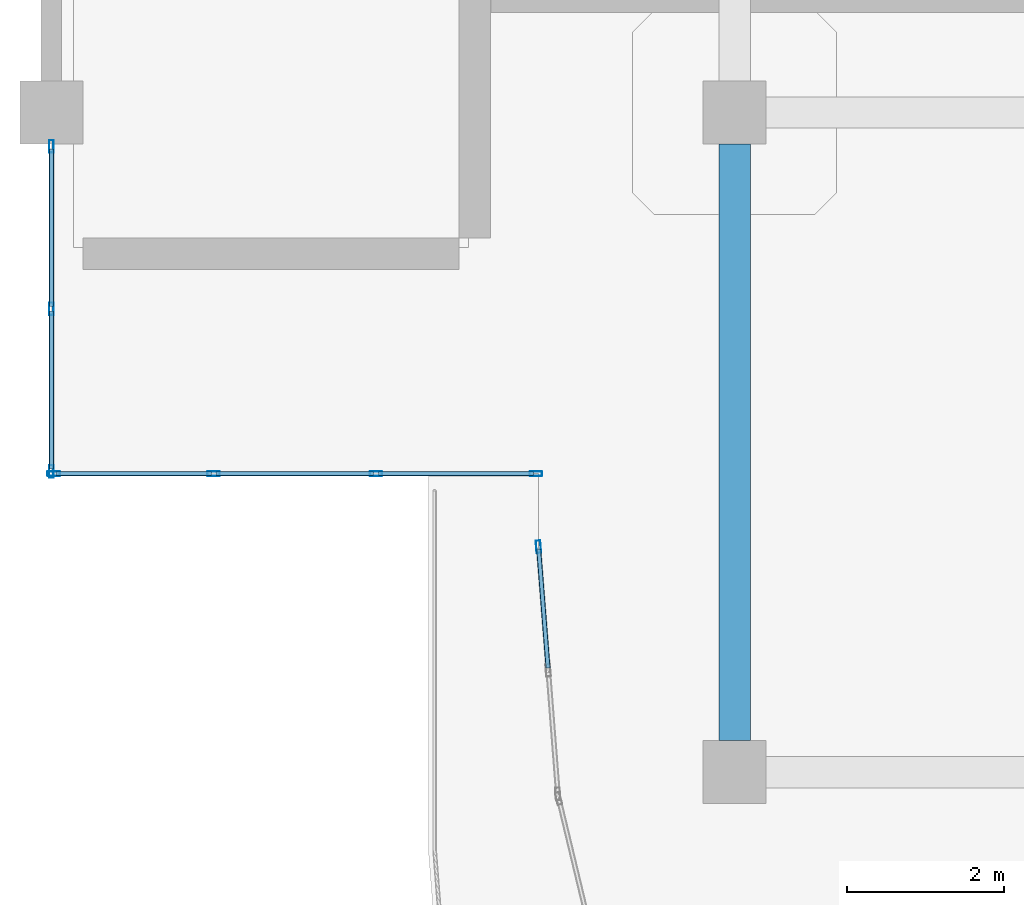
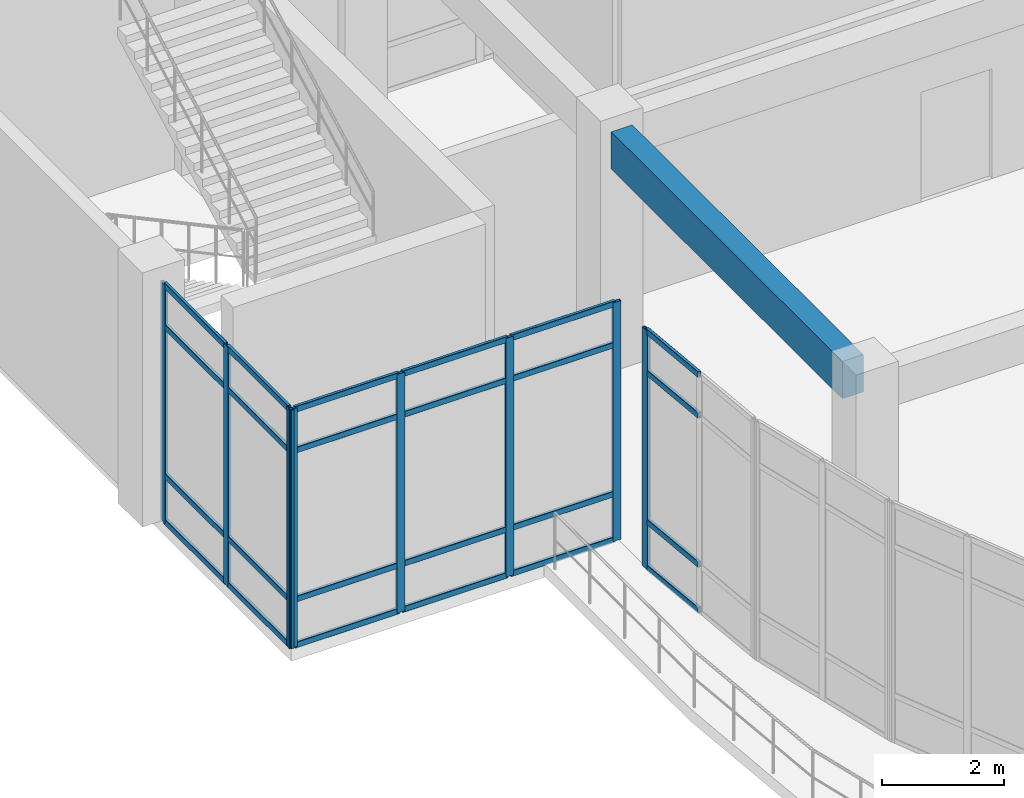
# One storey, part 11 of 96: 32 members, 1 beam, 3 elements without a shape of their own.
"""IFC4 building model written with IfcOpenShell, lengths in metres."""

from ifc_helpers import new_model, si_unit, derived_unit, direction, frame, origin, origin_2d, place, context, subcontext, project, spatial, rectangle, hollow_rectangle, extrude, material, layer, layer_set, material_profile, profile_set, type_object, element, aggregate, save


model = new_model("IFC4")

# Units and contexts
model_context = context("Model", 3, precision=1e-05, world=origin(), true_north=direction((0.0, 1.0)))
body_context = subcontext(model_context, "Body", "Model", "MODEL_VIEW")
ifc_project = project(units=[si_unit("LENGTHUNIT", "METRE"), si_unit("AREAUNIT", "SQUARE_METRE"), si_unit("VOLUMEUNIT", "CUBIC_METRE"), si_unit("PLANEANGLEUNIT", "RADIAN"), si_unit("MASSUNIT", "GRAM", prefix="KILO"), derived_unit("THERMALTRANSMITTANCEUNIT", [(si_unit("MASSUNIT", "GRAM", prefix="KILO"), 1), (si_unit("TIMEUNIT", "SECOND"), -3), (si_unit("THERMODYNAMICTEMPERATUREUNIT", "KELVIN"), -1)])], contexts=[model_context])

# Site, building, storey
site_placement = place(None, origin())
site = spatial("IfcSite", under=ifc_project, at=site_placement, CompositionType="ELEMENT")
building_placement = place(site_placement, origin())
building = spatial("IfcBuilding", under=site, at=building_placement, Name="Qinzheling Arcade Emporium", CompositionType="ELEMENT")
storey_placement = place(building_placement, frame((0.0, 0.0, 21.60009765625)))
storey = spatial("IfcBuildingStorey", under=building, at=storey_placement, Name="L05", CompositionType="ELEMENT", Elevation=21.60009765625)

# Curtain wall, member
ifc_material_1 = material(Name="Anodised aluminium and solar-control double glazing", Category="aluminium")
ifc_layer_1 = layer(ifc_material_1, 0.159912109375, Name="Anodised aluminium and solar-control double glazing", Category="aluminium")
ifc_layer_set_1 = layer_set([ifc_layer_1], Name="Anodised aluminium and solar-control double glazing")
curtain_wall_type_1 = type_object("IfcCurtainWallType", Name="Curved Ribbon Sales Curtain Wall", PredefinedType="NOTDEFINED", material=ifc_layer_set_1)
curtain_wall_1_placement = place(storey_placement, origin())
curtain_wall_1 = element("IfcCurtainWall", 1, at=curtain_wall_1_placement, inside=storey, type_object=curtain_wall_type_1, Name="Curtain Wall CW-L05-311", PredefinedType="NOTDEFINED")
ifc_material_2 = material(Name="Anodised aluminium 6063-T6", Category="aluminium")
ifc_material_profile_1 = material_profile(ifc_material_2, hollow_rectangle(XDim=0.06005859375, YDim=0.159912109375, WallThickness=0.00390625, InnerFilletRadius=0.00390625, OuterFilletRadius=0.008056640625, at=origin_2d()), Name="RHS 160x60x4", Category="aluminium")
ifc_profile_set_1 = profile_set([ifc_material_profile_1], Name="Anodised aluminium 6063-T6")
member_type_1 = type_object("IfcMemberType", Name="Curtain Wall Mullion RHS160x60", PredefinedType="MULLION", material=ifc_profile_set_1)
member_1_placement = place(storey_placement, frame((6.202392578125, 28.070068359375, 0.0), z_axis=(0.0, 0.0, 1.0), x_axis=(-0.996926963876, -0.078336637005, 0.0)))
member_1 = element("IfcMember", 2, at=member_1_placement, type_object=member_type_1, Name="CW02 mullion 3", PredefinedType="MULLION", context=body_context, shape_type="SweptSolid", body=[
    extrude(hollow_rectangle(XDim=0.06005859375, YDim=0.159912109375, WallThickness=0.00390625, InnerFilletRadius=0.00390625, OuterFilletRadius=0.008056640625, at=origin_2d()), origin(), (0.0, 0.0, 1.0), 4.789794921875),
])

# Curtain wall, members
ifc_layer_2 = layer(ifc_material_1, 0.159912109375, Name="Anodised aluminium and solar-control double glazing", Category="aluminium")
ifc_layer_set_2 = layer_set([ifc_layer_2], Name="Anodised aluminium and solar-control double glazing")
curtain_wall_type_2 = type_object("IfcCurtainWallType", Name="Arcade Portal Glazed Curtain Wall", PredefinedType="NOTDEFINED", material=ifc_layer_set_2)
curtain_wall_2_placement = place(storey_placement, origin())
curtain_wall_2 = element("IfcCurtainWall", 3, at=curtain_wall_2_placement, inside=storey, type_object=curtain_wall_type_2, Name="Curtain Wall CW-L05-312", PredefinedType="NOTDEFINED")
member_2_placement = place(storey_placement, frame((6.169921875, 29.0, 0.0), z_axis=(0.0, 0.0, 1.0), x_axis=(0.0, -1.0, 0.0)))
member_2 = element("IfcMember", 4, at=member_2_placement, type_object=member_type_1, Name="CW05 mullion 1", PredefinedType="MULLION", context=body_context, shape_type="SweptSolid", body=[
    extrude(hollow_rectangle(XDim=0.06005859375, YDim=0.159912109375, WallThickness=0.00390625, InnerFilletRadius=0.00390625, OuterFilletRadius=0.008056640625, at=origin_2d()), origin(), (0.0, 0.0, 1.0), 4.789794921875),
])
member_3_placement = place(storey_placement, frame((4.13330078125, 29.0, 0.0), z_axis=(0.0, 0.0, 1.0), x_axis=(0.0, -1.0, 0.0)))
member_3 = element("IfcMember", 5, at=member_3_placement, type_object=member_type_1, Name="CW05 mullion 2", PredefinedType="MULLION", context=body_context, shape_type="SweptSolid", body=[
    extrude(hollow_rectangle(XDim=0.06005859375, YDim=0.159912109375, WallThickness=0.00390625, InnerFilletRadius=0.00390625, OuterFilletRadius=0.008056640625, at=origin_2d()), origin(), (0.0, 0.0, 1.0), 4.789794921875),
])
member_4_placement = place(storey_placement, frame((2.066650390625, 29.0, 0.0), z_axis=(0.0, 0.0, 1.0), x_axis=(0.0, -1.0, 0.0)))
member_4 = element("IfcMember", 6, at=member_4_placement, type_object=member_type_1, Name="CW05 mullion 3", PredefinedType="MULLION", context=body_context, shape_type="SweptSolid", body=[
    extrude(hollow_rectangle(XDim=0.06005859375, YDim=0.159912109375, WallThickness=0.00390625, InnerFilletRadius=0.00390625, OuterFilletRadius=0.008056640625, at=origin_2d()), origin(), (0.0, 0.0, 1.0), 4.789794921875),
])
member_5_placement = place(storey_placement, frame((0.030029296875, 29.0, 0.0), z_axis=(0.0, 0.0, 1.0), x_axis=(0.0, -1.0, 0.0)))
member_5 = element("IfcMember", 7, at=member_5_placement, type_object=member_type_1, Name="CW05 mullion 4", PredefinedType="MULLION", context=body_context, shape_type="SweptSolid", body=[
    extrude(hollow_rectangle(XDim=0.06005859375, YDim=0.159912109375, WallThickness=0.00390625, InnerFilletRadius=0.00390625, OuterFilletRadius=0.008056640625, at=origin_2d()), origin(), (0.0, 0.0, 1.0), 4.789794921875),
])

curtain_wall_3_placement = place(storey_placement, origin())
curtain_wall_3 = element("IfcCurtainWall", 8, at=curtain_wall_3_placement, inside=storey, type_object=curtain_wall_type_2, Name="Curtain Wall CW-L05-313", PredefinedType="NOTDEFINED")
member_6_placement = place(storey_placement, frame((0.0, 29.030029296875, 0.0), z_axis=(0.0, 0.0, 1.0), x_axis=(-1.0, 0.0, 0.0)))
member_6 = element("IfcMember", 9, at=member_6_placement, type_object=member_type_1, Name="CW05 mullion 1", PredefinedType="MULLION", context=body_context, shape_type="SweptSolid", body=[
    extrude(hollow_rectangle(XDim=0.06005859375, YDim=0.159912109375, WallThickness=0.00390625, InnerFilletRadius=0.00390625, OuterFilletRadius=0.008056640625, at=origin_2d()), origin(), (0.0, 0.0, 1.0), 4.789794921875),
])
member_7_placement = place(storey_placement, frame((0.0, 31.09912109375, 0.0), z_axis=(0.0, 0.0, 1.0), x_axis=(-1.0, 0.0, 0.0)))
member_7 = element("IfcMember", 10, at=member_7_placement, type_object=member_type_1, Name="CW05 mullion 2", PredefinedType="MULLION", context=body_context, shape_type="SweptSolid", body=[
    extrude(hollow_rectangle(XDim=0.06005859375, YDim=0.159912109375, WallThickness=0.00390625, InnerFilletRadius=0.00390625, OuterFilletRadius=0.008056640625, at=origin_2d()), origin(), (0.0, 0.0, 1.0), 4.789794921875),
])
member_8_placement = place(storey_placement, frame((0.0, 33.16796875, 0.0), z_axis=(0.0, 0.0, 1.0), x_axis=(-1.0, 0.0, 0.0)))
member_8 = element("IfcMember", 11, at=member_8_placement, type_object=member_type_1, Name="CW05 mullion 3", PredefinedType="MULLION", context=body_context, shape_type="SweptSolid", body=[
    extrude(hollow_rectangle(XDim=0.06005859375, YDim=0.159912109375, WallThickness=0.00390625, InnerFilletRadius=0.00390625, OuterFilletRadius=0.008056640625, at=origin_2d()), origin(), (0.0, 0.0, 1.0), 4.789794921875),
])

# Member
ifc_material_profile_2 = material_profile(ifc_material_2, hollow_rectangle(XDim=0.06005859375, YDim=0.1201171875, WallThickness=0.00390625, InnerFilletRadius=0.00390625, OuterFilletRadius=0.008056640625, at=origin_2d()), Name="RHS 120x60x4", Category="aluminium")
ifc_profile_set_2 = profile_set([ifc_material_profile_2], Name="Anodised aluminium 6063-T6")
member_type_2 = type_object("IfcMemberType", Name="Curtain Wall Transom RHS120x60", PredefinedType="USERDEFINED", material=ifc_profile_set_2)
member_9_placement = place(storey_placement, frame((6.32373046875, 26.5263671875, 0.02978515625), z_axis=(-0.078454416797, 0.996917701962, 0.0), x_axis=(-0.996917701962, -0.078454416797, 0.0)))
member_9 = element("IfcMember", 12, at=member_9_placement, type_object=member_type_2, Name="CW02 transom 2.1", ObjectType="TRANSOM", PredefinedType="USERDEFINED", context=body_context, shape_type="SweptSolid", body=[
    extrude(hollow_rectangle(XDim=0.06005859375, YDim=0.1201171875, WallThickness=0.00390625, InnerFilletRadius=0.00390625, OuterFilletRadius=0.008056640625, at=origin_2d()), origin(), (0.0, 0.0, 1.0), 1.5185546875),
])

member_10_placement = place(storey_placement, frame((6.32373046875, 26.5263671875, 0.949951171875), z_axis=(-0.078454416797, 0.996917701962, 0.0), x_axis=(-0.996917701962, -0.078454416797, 0.0)))
member_10 = element("IfcMember", 13, at=member_10_placement, type_object=member_type_2, Name="CW02 transom 2.2", ObjectType="TRANSOM", PredefinedType="USERDEFINED", context=body_context, shape_type="SweptSolid", body=[
    extrude(hollow_rectangle(XDim=0.06005859375, YDim=0.1201171875, WallThickness=0.00390625, InnerFilletRadius=0.00390625, OuterFilletRadius=0.008056640625, at=origin_2d()), origin(), (0.0, 0.0, 1.0), 1.5185546875),
])

member_11_placement = place(storey_placement, frame((6.32373046875, 26.5263671875, 3.93994140625), z_axis=(-0.078454416797, 0.996917701962, 0.0), x_axis=(-0.996917701962, -0.078454416797, 0.0)))
member_11 = element("IfcMember", 14, at=member_11_placement, type_object=member_type_2, Name="CW02 transom 2.3", ObjectType="TRANSOM", PredefinedType="USERDEFINED", context=body_context, shape_type="SweptSolid", body=[
    extrude(hollow_rectangle(XDim=0.06005859375, YDim=0.1201171875, WallThickness=0.00390625, InnerFilletRadius=0.00390625, OuterFilletRadius=0.008056640625, at=origin_2d()), origin(), (0.0, 0.0, 1.0), 1.5185546875),
])

member_12_placement = place(storey_placement, frame((6.32373046875, 26.5263671875, 4.760009765625), z_axis=(-0.078454416797, 0.996917701962, 0.0), x_axis=(-0.996917701962, -0.078454416797, 0.0)))
member_12 = element("IfcMember", 15, at=member_12_placement, type_object=member_type_2, Name="CW02 transom 2.4", ObjectType="TRANSOM", PredefinedType="USERDEFINED", context=body_context, shape_type="SweptSolid", body=[
    extrude(hollow_rectangle(XDim=0.06005859375, YDim=0.1201171875, WallThickness=0.00390625, InnerFilletRadius=0.00390625, OuterFilletRadius=0.008056640625, at=origin_2d()), origin(), (0.0, 0.0, 1.0), 1.5185546875),
])

aggregate(curtain_wall_1, [member_1, member_9, member_10, member_11, member_12])

member_13_placement = place(storey_placement, frame((6.139892578125, 29.0, 0.02978515625), z_axis=(-1.0, 0.0, 0.0), x_axis=(0.0, -1.0, 0.0)))
member_13 = element("IfcMember", 16, at=member_13_placement, type_object=member_type_2, Name="CW05 transom 1.1", ObjectType="TRANSOM", PredefinedType="USERDEFINED", context=body_context, shape_type="SweptSolid", body=[
    extrude(hollow_rectangle(XDim=0.06005859375, YDim=0.1201171875, WallThickness=0.00390625, InnerFilletRadius=0.00390625, OuterFilletRadius=0.008056640625, at=origin_2d()), origin(), (0.0, 0.0, 1.0), 1.9765625),
])

member_14_placement = place(storey_placement, frame((6.139892578125, 29.0, 0.949951171875), z_axis=(-1.0, 0.0, 0.0), x_axis=(0.0, -1.0, 0.0)))
member_14 = element("IfcMember", 17, at=member_14_placement, type_object=member_type_2, Name="CW05 transom 1.2", ObjectType="TRANSOM", PredefinedType="USERDEFINED", context=body_context, shape_type="SweptSolid", body=[
    extrude(hollow_rectangle(XDim=0.06005859375, YDim=0.1201171875, WallThickness=0.00390625, InnerFilletRadius=0.00390625, OuterFilletRadius=0.008056640625, at=origin_2d()), origin(), (0.0, 0.0, 1.0), 1.9765625),
])

member_15_placement = place(storey_placement, frame((6.139892578125, 29.0, 3.93994140625), z_axis=(-1.0, 0.0, 0.0), x_axis=(0.0, -1.0, 0.0)))
member_15 = element("IfcMember", 18, at=member_15_placement, type_object=member_type_2, Name="CW05 transom 1.3", ObjectType="TRANSOM", PredefinedType="USERDEFINED", context=body_context, shape_type="SweptSolid", body=[
    extrude(hollow_rectangle(XDim=0.06005859375, YDim=0.1201171875, WallThickness=0.00390625, InnerFilletRadius=0.00390625, OuterFilletRadius=0.008056640625, at=origin_2d()), origin(), (0.0, 0.0, 1.0), 1.9765625),
])

member_16_placement = place(storey_placement, frame((6.139892578125, 29.0, 4.760009765625), z_axis=(-1.0, 0.0, 0.0), x_axis=(0.0, -1.0, 0.0)))
member_16 = element("IfcMember", 19, at=member_16_placement, type_object=member_type_2, Name="CW05 transom 1.4", ObjectType="TRANSOM", PredefinedType="USERDEFINED", context=body_context, shape_type="SweptSolid", body=[
    extrude(hollow_rectangle(XDim=0.06005859375, YDim=0.1201171875, WallThickness=0.00390625, InnerFilletRadius=0.00390625, OuterFilletRadius=0.008056640625, at=origin_2d()), origin(), (0.0, 0.0, 1.0), 1.9765625),
])

member_17_placement = place(storey_placement, frame((4.103271484375, 29.0, 0.02978515625), z_axis=(-1.0, 0.0, 0.0), x_axis=(0.0, -1.0, 0.0)))
member_17 = element("IfcMember", 20, at=member_17_placement, type_object=member_type_2, Name="CW05 transom 2.1", ObjectType="TRANSOM", PredefinedType="USERDEFINED", context=body_context, shape_type="SweptSolid", body=[
    extrude(hollow_rectangle(XDim=0.06005859375, YDim=0.1201171875, WallThickness=0.00390625, InnerFilletRadius=0.00390625, OuterFilletRadius=0.008056640625, at=origin_2d()), origin(), (0.0, 0.0, 1.0), 2.006591796875),
])

member_18_placement = place(storey_placement, frame((4.103271484375, 29.0, 0.949951171875), z_axis=(-1.0, 0.0, 0.0), x_axis=(0.0, -1.0, 0.0)))
member_18 = element("IfcMember", 21, at=member_18_placement, type_object=member_type_2, Name="CW05 transom 2.2", ObjectType="TRANSOM", PredefinedType="USERDEFINED", context=body_context, shape_type="SweptSolid", body=[
    extrude(hollow_rectangle(XDim=0.06005859375, YDim=0.1201171875, WallThickness=0.00390625, InnerFilletRadius=0.00390625, OuterFilletRadius=0.008056640625, at=origin_2d()), origin(), (0.0, 0.0, 1.0), 2.006591796875),
])

member_19_placement = place(storey_placement, frame((4.103271484375, 29.0, 3.93994140625), z_axis=(-1.0, 0.0, 0.0), x_axis=(0.0, -1.0, 0.0)))
member_19 = element("IfcMember", 22, at=member_19_placement, type_object=member_type_2, Name="CW05 transom 2.3", ObjectType="TRANSOM", PredefinedType="USERDEFINED", context=body_context, shape_type="SweptSolid", body=[
    extrude(hollow_rectangle(XDim=0.06005859375, YDim=0.1201171875, WallThickness=0.00390625, InnerFilletRadius=0.00390625, OuterFilletRadius=0.008056640625, at=origin_2d()), origin(), (0.0, 0.0, 1.0), 2.006591796875),
])

member_20_placement = place(storey_placement, frame((4.103271484375, 29.0, 4.760009765625), z_axis=(-1.0, 0.0, 0.0), x_axis=(0.0, -1.0, 0.0)))
member_20 = element("IfcMember", 23, at=member_20_placement, type_object=member_type_2, Name="CW05 transom 2.4", ObjectType="TRANSOM", PredefinedType="USERDEFINED", context=body_context, shape_type="SweptSolid", body=[
    extrude(hollow_rectangle(XDim=0.06005859375, YDim=0.1201171875, WallThickness=0.00390625, InnerFilletRadius=0.00390625, OuterFilletRadius=0.008056640625, at=origin_2d()), origin(), (0.0, 0.0, 1.0), 2.006591796875),
])

member_21_placement = place(storey_placement, frame((2.03662109375, 29.0, 0.02978515625), z_axis=(-1.0, 0.0, 0.0), x_axis=(0.0, -1.0, 0.0)))
member_21 = element("IfcMember", 24, at=member_21_placement, type_object=member_type_2, Name="CW05 transom 3.1", ObjectType="TRANSOM", PredefinedType="USERDEFINED", context=body_context, shape_type="SweptSolid", body=[
    extrude(hollow_rectangle(XDim=0.06005859375, YDim=0.1201171875, WallThickness=0.00390625, InnerFilletRadius=0.00390625, OuterFilletRadius=0.008056640625, at=origin_2d()), origin(), (0.0, 0.0, 1.0), 1.9765625),
])

member_22_placement = place(storey_placement, frame((2.03662109375, 29.0, 0.949951171875), z_axis=(-1.0, 0.0, 0.0), x_axis=(0.0, -1.0, 0.0)))
member_22 = element("IfcMember", 25, at=member_22_placement, type_object=member_type_2, Name="CW05 transom 3.2", ObjectType="TRANSOM", PredefinedType="USERDEFINED", context=body_context, shape_type="SweptSolid", body=[
    extrude(hollow_rectangle(XDim=0.06005859375, YDim=0.1201171875, WallThickness=0.00390625, InnerFilletRadius=0.00390625, OuterFilletRadius=0.008056640625, at=origin_2d()), origin(), (0.0, 0.0, 1.0), 1.9765625),
])

member_23_placement = place(storey_placement, frame((2.03662109375, 29.0, 3.93994140625), z_axis=(-1.0, 0.0, 0.0), x_axis=(0.0, -1.0, 0.0)))
member_23 = element("IfcMember", 26, at=member_23_placement, type_object=member_type_2, Name="CW05 transom 3.3", ObjectType="TRANSOM", PredefinedType="USERDEFINED", context=body_context, shape_type="SweptSolid", body=[
    extrude(hollow_rectangle(XDim=0.06005859375, YDim=0.1201171875, WallThickness=0.00390625, InnerFilletRadius=0.00390625, OuterFilletRadius=0.008056640625, at=origin_2d()), origin(), (0.0, 0.0, 1.0), 1.9765625),
])

member_24_placement = place(storey_placement, frame((2.03662109375, 29.0, 4.760009765625), z_axis=(-1.0, 0.0, 0.0), x_axis=(0.0, -1.0, 0.0)))
member_24 = element("IfcMember", 27, at=member_24_placement, type_object=member_type_2, Name="CW05 transom 3.4", ObjectType="TRANSOM", PredefinedType="USERDEFINED", context=body_context, shape_type="SweptSolid", body=[
    extrude(hollow_rectangle(XDim=0.06005859375, YDim=0.1201171875, WallThickness=0.00390625, InnerFilletRadius=0.00390625, OuterFilletRadius=0.008056640625, at=origin_2d()), origin(), (0.0, 0.0, 1.0), 1.9765625),
])

aggregate(curtain_wall_2, [member_2, member_3, member_4, member_5, member_13, member_14, member_15, member_16, member_17, member_18, member_19, member_20, member_21, member_22, member_23, member_24])

member_25_placement = place(storey_placement, frame((0.0, 29.06005859375, 0.02978515625), z_axis=(0.0, 1.0, 0.0), x_axis=(-1.0, 0.0, 0.0)))
member_25 = element("IfcMember", 28, at=member_25_placement, type_object=member_type_2, Name="CW05 transom 1.1", ObjectType="TRANSOM", PredefinedType="USERDEFINED", context=body_context, shape_type="SweptSolid", body=[
    extrude(hollow_rectangle(XDim=0.06005859375, YDim=0.1201171875, WallThickness=0.00390625, InnerFilletRadius=0.00390625, OuterFilletRadius=0.008056640625, at=origin_2d()), origin(), (0.0, 0.0, 1.0), 2.009033203125),
])

member_26_placement = place(storey_placement, frame((0.0, 29.06005859375, 0.949951171875), z_axis=(0.0, 1.0, 0.0), x_axis=(-1.0, 0.0, 0.0)))
member_26 = element("IfcMember", 29, at=member_26_placement, type_object=member_type_2, Name="CW05 transom 1.2", ObjectType="TRANSOM", PredefinedType="USERDEFINED", context=body_context, shape_type="SweptSolid", body=[
    extrude(hollow_rectangle(XDim=0.06005859375, YDim=0.1201171875, WallThickness=0.00390625, InnerFilletRadius=0.00390625, OuterFilletRadius=0.008056640625, at=origin_2d()), origin(), (0.0, 0.0, 1.0), 2.009033203125),
])

member_27_placement = place(storey_placement, frame((0.0, 29.06005859375, 3.93994140625), z_axis=(0.0, 1.0, 0.0), x_axis=(-1.0, 0.0, 0.0)))
member_27 = element("IfcMember", 30, at=member_27_placement, type_object=member_type_2, Name="CW05 transom 1.3", ObjectType="TRANSOM", PredefinedType="USERDEFINED", context=body_context, shape_type="SweptSolid", body=[
    extrude(hollow_rectangle(XDim=0.06005859375, YDim=0.1201171875, WallThickness=0.00390625, InnerFilletRadius=0.00390625, OuterFilletRadius=0.008056640625, at=origin_2d()), origin(), (0.0, 0.0, 1.0), 2.009033203125),
])

member_28_placement = place(storey_placement, frame((0.0, 29.06005859375, 4.760009765625), z_axis=(0.0, 1.0, 0.0), x_axis=(-1.0, 0.0, 0.0)))
member_28 = element("IfcMember", 31, at=member_28_placement, type_object=member_type_2, Name="CW05 transom 1.4", ObjectType="TRANSOM", PredefinedType="USERDEFINED", context=body_context, shape_type="SweptSolid", body=[
    extrude(hollow_rectangle(XDim=0.06005859375, YDim=0.1201171875, WallThickness=0.00390625, InnerFilletRadius=0.00390625, OuterFilletRadius=0.008056640625, at=origin_2d()), origin(), (0.0, 0.0, 1.0), 2.009033203125),
])

member_29_placement = place(storey_placement, frame((0.0, 31.12890625, 0.02978515625), z_axis=(0.0, 1.0, 0.0), x_axis=(-1.0, 0.0, 0.0)))
member_29 = element("IfcMember", 32, at=member_29_placement, type_object=member_type_2, Name="CW05 transom 2.1", ObjectType="TRANSOM", PredefinedType="USERDEFINED", context=body_context, shape_type="SweptSolid", body=[
    extrude(hollow_rectangle(XDim=0.06005859375, YDim=0.1201171875, WallThickness=0.00390625, InnerFilletRadius=0.00390625, OuterFilletRadius=0.008056640625, at=origin_2d()), origin(), (0.0, 0.0, 1.0), 2.009033203125),
])

member_30_placement = place(storey_placement, frame((0.0, 31.12890625, 0.949951171875), z_axis=(0.0, 1.0, 0.0), x_axis=(-1.0, 0.0, 0.0)))
member_30 = element("IfcMember", 33, at=member_30_placement, type_object=member_type_2, Name="CW05 transom 2.2", ObjectType="TRANSOM", PredefinedType="USERDEFINED", context=body_context, shape_type="SweptSolid", body=[
    extrude(hollow_rectangle(XDim=0.06005859375, YDim=0.1201171875, WallThickness=0.00390625, InnerFilletRadius=0.00390625, OuterFilletRadius=0.008056640625, at=origin_2d()), origin(), (0.0, 0.0, 1.0), 2.009033203125),
])

member_31_placement = place(storey_placement, frame((0.0, 31.12890625, 3.93994140625), z_axis=(0.0, 1.0, 0.0), x_axis=(-1.0, 0.0, 0.0)))
member_31 = element("IfcMember", 34, at=member_31_placement, type_object=member_type_2, Name="CW05 transom 2.3", ObjectType="TRANSOM", PredefinedType="USERDEFINED", context=body_context, shape_type="SweptSolid", body=[
    extrude(hollow_rectangle(XDim=0.06005859375, YDim=0.1201171875, WallThickness=0.00390625, InnerFilletRadius=0.00390625, OuterFilletRadius=0.008056640625, at=origin_2d()), origin(), (0.0, 0.0, 1.0), 2.009033203125),
])

member_32_placement = place(storey_placement, frame((0.0, 31.12890625, 4.760009765625), z_axis=(0.0, 1.0, 0.0), x_axis=(-1.0, 0.0, 0.0)))
member_32 = element("IfcMember", 35, at=member_32_placement, type_object=member_type_2, Name="CW05 transom 2.4", ObjectType="TRANSOM", PredefinedType="USERDEFINED", context=body_context, shape_type="SweptSolid", body=[
    extrude(hollow_rectangle(XDim=0.06005859375, YDim=0.1201171875, WallThickness=0.00390625, InnerFilletRadius=0.00390625, OuterFilletRadius=0.008056640625, at=origin_2d()), origin(), (0.0, 0.0, 1.0), 2.009033203125),
])

aggregate(curtain_wall_3, [member_6, member_7, member_8, member_25, member_26, member_27, member_28, member_29, member_30, member_31, member_32])

# Beam
ifc_material_3 = material(Name="Concrete C40", Category="concrete")
ifc_material_profile_3 = material_profile(ifc_material_3, rectangle(XDim=0.39990234375, YDim=0.75, at=origin_2d()), Name="RC 400x750", Category="concrete")
ifc_profile_set_3 = profile_set([ifc_material_profile_3], Name="Concrete C40")
beam_type = type_object("IfcBeamType", Name="RC Interior Tie Beam 400x750 C40", PredefinedType="BEAM", material=ifc_profile_set_3)
beam_placement = place(storey_placement, frame((8.699951171875, 25.60009765625, 4.44482421875), z_axis=(0.0, 1.0, 0.0), x_axis=(-1.0, 0.0, 0.0)))
element("IfcBeam", 36, at=beam_placement, inside=storey, type_object=beam_type, Name="Beam BM-L05-Y-2-D", PredefinedType="BEAM", context=body_context, shape_type="SweptSolid", body=[
    extrude(rectangle(XDim=0.39990234375, YDim=0.75, at=origin_2d()), origin(), (0.0, 0.0, 1.0), 7.599853515625),
])

save(model, "model.ifc")
